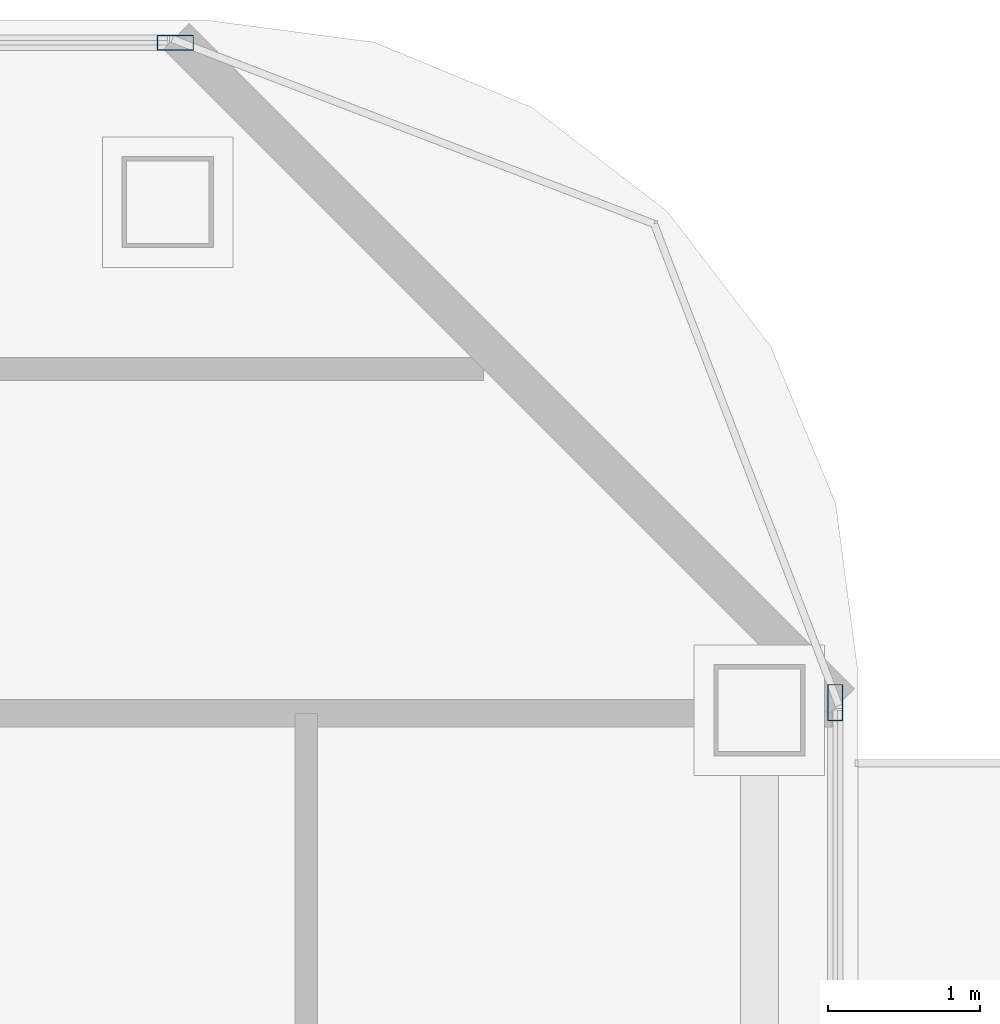
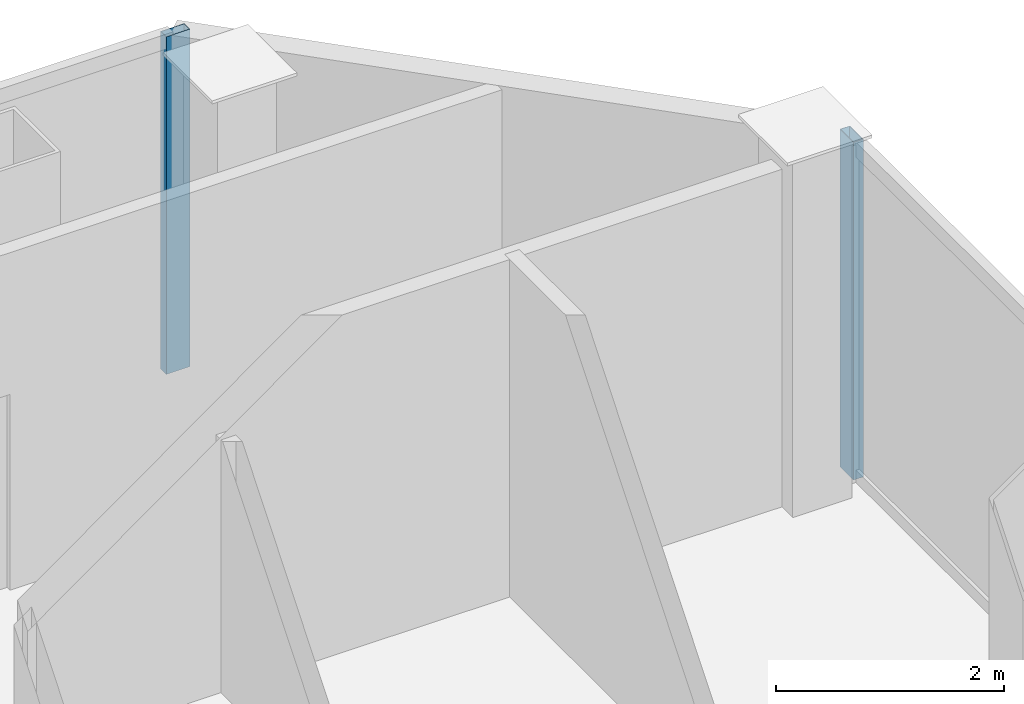
# One storey, part 18 of 26: 2 members, 2 elements without a shape of their own.
"""IFC4 building model written with IfcOpenShell, lengths in metres."""

from ifc_helpers import new_model, si_unit, direction, frame, origin, origin_2d, place, context, subcontext, project, spatial, hollow_rectangle, extrude, material, layer, layer_set, material_profile, profile_set, type_object, element, aggregate, save


model = new_model("IFC4")

# Units and contexts
model_context = context("Model", 3, precision=1e-05, world=origin(), true_north=direction((0.0, 1.0)))
body_context = subcontext(model_context, "Body", "Model", "MODEL_VIEW")
ifc_project = project(units=[si_unit("LENGTHUNIT", "METRE"), si_unit("AREAUNIT", "SQUARE_METRE"), si_unit("VOLUMEUNIT", "CUBIC_METRE"), si_unit("PLANEANGLEUNIT", "RADIAN"), si_unit("MASSUNIT", "GRAM", prefix="KILO")], contexts=[model_context])

# Site, building, storey
site_placement = place(None, origin())
site = spatial("IfcSite", under=ifc_project, at=site_placement, CompositionType="ELEMENT")
building_placement = place(site_placement, origin())
building = spatial("IfcBuilding", under=site, at=building_placement, Name="Khorvyn Point Tower", CompositionType="ELEMENT")
storey_placement = place(building_placement, frame((0.0, 0.0, 250.800048828125)))
storey = spatial("IfcBuildingStorey", under=building, at=storey_placement, Name="L61", CompositionType="ELEMENT", Elevation=250.800048828125)

# Curtain wall, member
ifc_material_1 = material(Name="Anodised aluminium 6063-T6 and laminated Low-E glass", Category="aluminium")
ifc_layer = layer(ifc_material_1, 0.18994140625)
ifc_layer_set = layer_set([ifc_layer], Name="Stick-Built Acoustic Curtain Wall CW-SYS-03")
curtain_wall_type = type_object("IfcCurtainWallType", Name="Stick-Built Acoustic Curtain Wall CW-SYS-03", PredefinedType="NOTDEFINED", material=ifc_layer_set)
curtain_wall_1_placement = place(storey_placement, origin())
curtain_wall_1 = element("IfcCurtainWall", 1, at=curtain_wall_1_placement, inside=storey, type_object=curtain_wall_type, Name="Curtain Wall", PredefinedType="NOTDEFINED")
ifc_material_2 = material(Name="Anodised aluminium 6063-T6", Category="aluminium")
ifc_material_profile = material_profile(ifc_material_2, hollow_rectangle(XDim=0.10009765625, YDim=0.239990234375, WallThickness=0.0048828125, at=origin_2d()))
ifc_profile_set = profile_set([ifc_material_profile], Name="Anodised aluminium 6063-T6 ALU-MUL-100x240")
member_type = type_object("IfcMemberType", Name="Anodised Aluminium 6063-T6 Mullion ALU-MUL-100x240", PredefinedType="MULLION", material=ifc_profile_set)
member_1_placement = place(storey_placement, frame((21.800048828125, 15.85009765625, 0.0), z_axis=(0.0, 0.0, 1.0), x_axis=(0.0, 1.0, 0.0)))
member_1 = element("IfcMember", 2, at=member_1_placement, type_object=member_type, Name="Transom", PredefinedType="MULLION", context=body_context, shape_type="SweptSolid", body=[
    extrude(hollow_rectangle(XDim=0.10009765625, YDim=0.239990234375, WallThickness=0.0048828125, at=origin_2d()), origin(), (0.0, 0.0, 1.0), 3.619873046875),
])
aggregate(curtain_wall_1, [member_1])

curtain_wall_2_placement = place(storey_placement, origin())
curtain_wall_2 = element("IfcCurtainWall", 3, at=curtain_wall_2_placement, inside=storey, type_object=curtain_wall_type, Name="Curtain Wall", PredefinedType="NOTDEFINED")
member_2_placement = place(storey_placement, frame((26.14990234375, 11.5, 0.0), z_axis=(0.0, 0.0, 1.0), x_axis=(1.0, 0.0, 0.0)))
member_2 = element("IfcMember", 4, at=member_2_placement, type_object=member_type, Name="Transom", PredefinedType="MULLION", context=body_context, shape_type="SweptSolid", body=[
    extrude(hollow_rectangle(XDim=0.10009765625, YDim=0.239990234375, WallThickness=0.0048828125, at=origin_2d()), origin(), (0.0, 0.0, 1.0), 3.619873046875),
])
aggregate(curtain_wall_2, [member_2])

save(model, "model.ifc")
